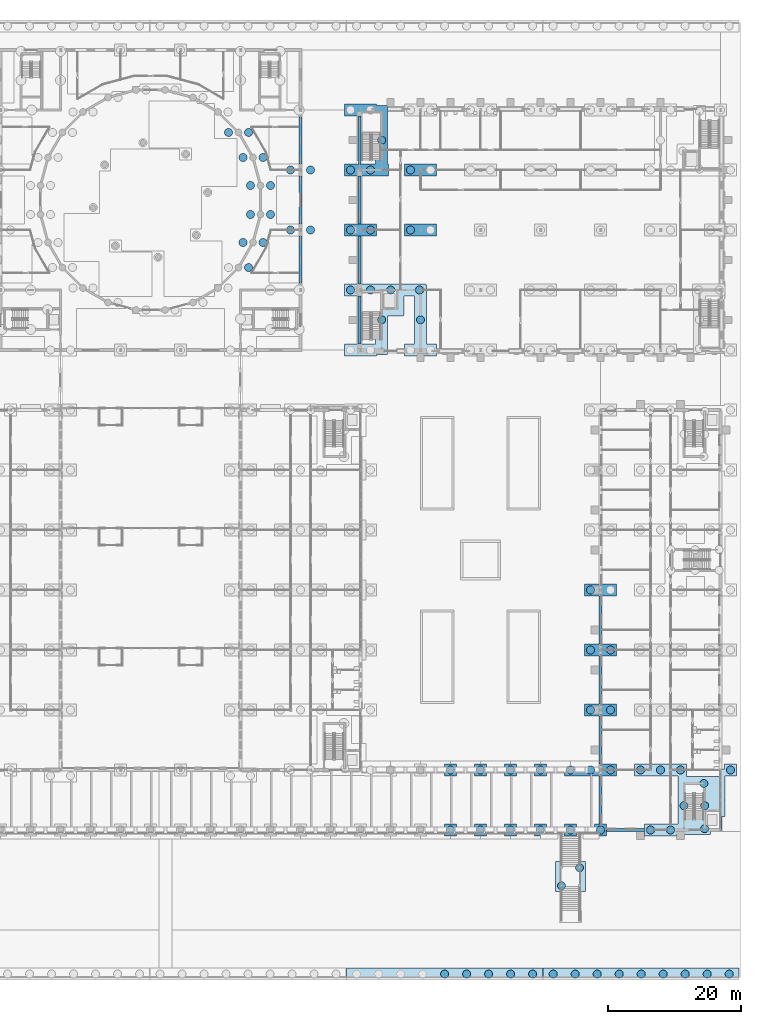
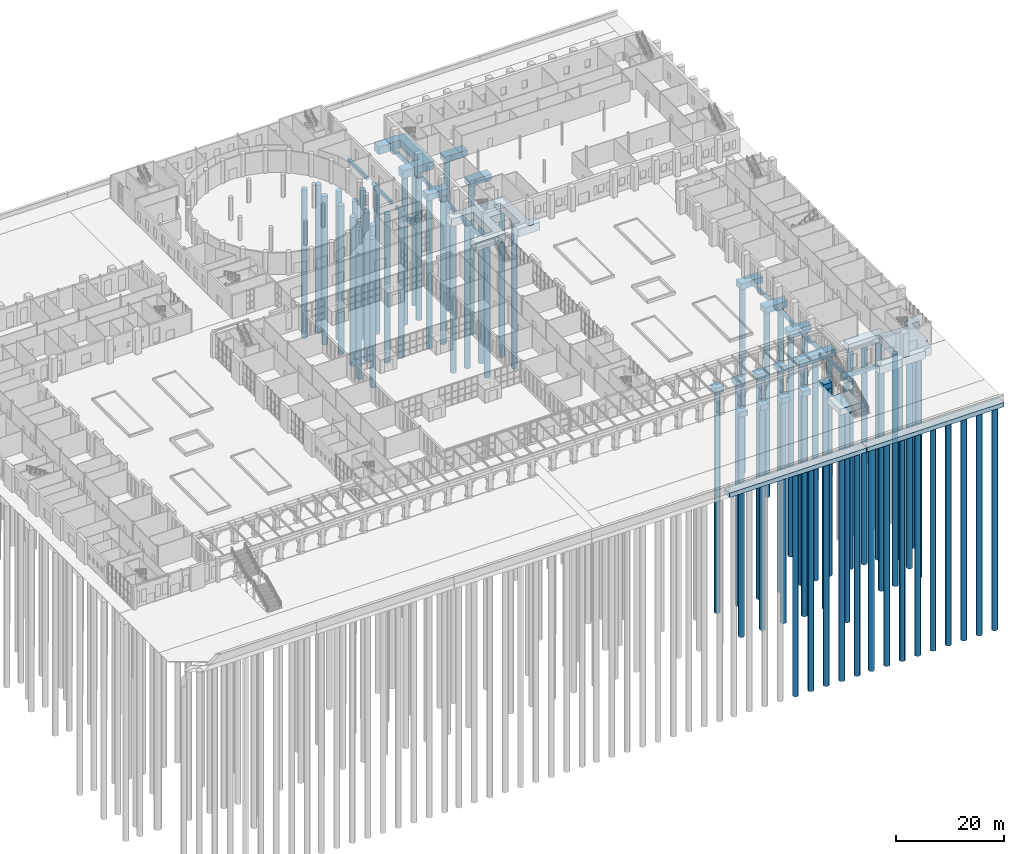
# One storey, part 6 of 168: 72 piles, 35 footings.
"""IFC4 building model written with IfcOpenShell, lengths in metres."""

from ifc_helpers import new_model, si_unit, direction, frame, origin, origin_2d, place, context, subcontext, project, spatial, polyline, circle, outline, extrude, material, material_profile, profile_set, type_object, element, save


model = new_model("IFC4")

# Units and contexts
model_context = context("Model", 3, precision=1e-05, world=origin(), true_north=direction((0.0, 1.0)))
body_context = subcontext(model_context, "Body", "Model", "MODEL_VIEW")
ifc_project = project(units=[si_unit("LENGTHUNIT", "METRE"), si_unit("AREAUNIT", "SQUARE_METRE"), si_unit("VOLUMEUNIT", "CUBIC_METRE"), si_unit("PLANEANGLEUNIT", "RADIAN"), si_unit("MASSUNIT", "GRAM", prefix="KILO")], contexts=[model_context])

# Site, building, storey
site_placement = place(None, origin())
site = spatial("IfcSite", under=ifc_project, at=site_placement, CompositionType="ELEMENT")
building_placement = place(site_placement, origin())
building = spatial("IfcBuilding", under=site, at=building_placement, Name="Golden Quay Civic Hall", CompositionType="ELEMENT")
storey_placement = place(building_placement, origin())
storey = spatial("IfcBuildingStorey", under=building, at=storey_placement, Name="L00", CompositionType="ELEMENT", Elevation=0.0)

# Piles
ifc_material_1 = material(Name="Concrete C40/50", Category="concrete")
ifc_material_profile = material_profile(ifc_material_1, circle(Radius=0.60009765625, at=origin_2d()), Name="RC D1200")
ifc_profile_set = profile_set([ifc_material_profile], Name="Concrete C40/50")
pile_type = type_object("IfcPileType", Name="Bored pile 1200", PredefinedType="BORED", material=ifc_profile_set)
for number, where, z_axis, x_axis, name in (
    (1, (97.202880859375, 95.631103515625, -2.300048828125), (0.0, 0.0, -1.0), (1.0, 0.0, 0.0), "PL1 bored pile"),
    (2, (99.3759765625, 79.131103515625, -2.300048828125), (0.0, 0.0, -1.0), (1.0, 0.0, 0.0), "PL1 bored pile"),
    (3, (99.3759765625, 91.868896484375, -2.300048828125), (0.0, 0.0, -1.0), (1.0, 0.0, 0.0), "PL1 bored pile"),
    (4, (100.202880859375, 75.368896484375, -2.300048828125), (0.0, 0.0, -1.0), (1.0, 0.0, 0.0), "PL1 bored pile"),
    (5, (100.202880859375, 95.631103515625, -2.300048828125), (0.0, 0.0, -1.0), (1.0, 0.0, 0.0), "PL1 bored pile"),
    (6, (100.5, 83.327880859375, -2.300048828125), (0.0, 0.0, -1.0), (1.0, 0.0, 0.0), "PL1 bored pile"),
    (7, (100.5, 87.672119140625, -2.300048828125), (0.0, 0.0, -1.0), (1.0, 0.0, 0.0), "PL1 bored pile"),
    (8, (102.3759765625, 79.131103515625, -2.300048828125), (0.0, 0.0, -1.0), (1.0, 0.0, 0.0), "PL1 bored pile"),
    (9, (102.3759765625, 91.868896484375, -2.300048828125), (0.0, 0.0, -1.0), (1.0, 0.0, 0.0), "PL1 bored pile"),
    (10, (103.5, 83.327880859375, -2.300048828125), (0.0, 0.0, -1.0), (1.0, 0.0, 0.0), "PL1 bored pile"),
    (11, (103.5, 87.672119140625, -2.300048828125), (0.0, 0.0, -1.0), (1.0, 0.0, 0.0), "PL1 bored pile"),
    (12, (106.5, 81.0, -2.300048828125), (0.0, 0.0, -1.0), (1.0, 0.0, 0.0), "PL1 bored pile"),
    (13, (106.5, 90.0, -2.300048828125), (0.0, 0.0, -1.0), (1.0, 0.0, 0.0), "PL1 bored pile"),
    (14, (109.5, 81.0, -2.300048828125), (0.0, 0.0, -1.0), (1.0, 0.0, 0.0), "PL1 bored pile"),
    (15, (109.5, 90.0, -2.300048828125), (0.0, 0.0, -1.0), (1.0, 0.0, 0.0), "PL1 bored pile"),
    (16, (115.5, 72.0, -2.300048828125), (0.0, 0.0, -1.0), (1.0, 0.0, 0.0), "PL1 bored pile"),
    (17, (118.5, 72.0, -2.300048828125), (0.0, 0.0, -1.0), (1.0, 0.0, 0.0), "PL1 bored pile"),
    (18, (120.175048828125, 67.537109375, -2.300048828125), (0.0, 0.0, -1.0), (1.0, 0.0, 0.0), "PL1 bored pile"),
    (19, (121.52490234375, 72.0, -2.300048828125), (0.0, 0.0, -1.0), (1.0, 0.0, 0.0), "PL1 bored pile"),
    (20, (125.85009765625, 72.0, -2.300048828125), (0.0, 0.0, -1.0), (1.0, 0.0, 0.0), "PL1 bored pile"),
    (21, (126.0, 67.52490234375, -2.300048828125), (0.0, 0.0, -1.0), (1.0, 0.0, 0.0), "PL1 bored pile"),
):
    element("IfcPile", number, at=place(storey_placement, frame(where, z_axis=z_axis, x_axis=x_axis)), inside=storey, type_object=pile_type, Name=name, PredefinedType="BORED", context=body_context, shape_type="SweptSolid", body=[
        extrude(circle(Radius=0.60009765625, at=origin_2d()), origin(), (0.0, 0.0, 1.0), 33.699951171875),
    ])
for number, where, z_axis, x_axis, name in (
    (22, (115.5, 81.0, -1.89990234375), (0.0, 0.0, -1.0), (1.0, 0.0, 0.0), "PL1 bored pile"),
    (23, (118.5, 81.0, -1.89990234375), (0.0, 0.0, -1.0), (1.0, 0.0, 0.0), "PL1 bored pile"),
):
    element("IfcPile", number, at=place(storey_placement, frame(where, z_axis=z_axis, x_axis=x_axis)), inside=storey, type_object=pile_type, Name=name, PredefinedType="BORED", context=body_context, shape_type="SweptSolid", body=[
        extrude(circle(Radius=0.60009765625, at=origin_2d()), origin(), (0.0, 0.0, 1.0), 34.10009765625),
    ])
for number, where, z_axis, x_axis, name in (
    (24, (115.5, 90.0, -2.300048828125), (0.0, 0.0, -1.0), (1.0, 0.0, 0.0), "PL1 bored pile"),
    (25, (118.5, 90.0, -2.300048828125), (0.0, 0.0, -1.0), (1.0, 0.0, 0.0), "PL1 bored pile"),
    (26, (120.175048828125, 94.462890625, -2.300048828125), (0.0, 0.0, -1.0), (1.0, 0.0, 0.0), "PL1 bored pile"),
):
    element("IfcPile", number, at=place(storey_placement, frame(where, z_axis=z_axis, x_axis=x_axis)), inside=storey, type_object=pile_type, Name=name, PredefinedType="BORED", context=body_context, shape_type="SweptSolid", body=[
        extrude(circle(Radius=0.60009765625, at=origin_2d()), origin(), (0.0, 0.0, 1.0), 33.699951171875),
    ])
for number, where, z_axis, x_axis, name in (
    (27, (124.5, 81.0, -1.89990234375), (0.0, 0.0, -1.0), (1.0, 0.0, 0.0), "PL1 bored pile"),
    (28, (124.5, 90.0, -1.89990234375), (0.0, 0.0, -1.0), (1.0, 0.0, 0.0), "PL1 bored pile"),
):
    element("IfcPile", number, at=place(storey_placement, frame(where, z_axis=z_axis, x_axis=x_axis)), inside=storey, type_object=pile_type, Name=name, PredefinedType="BORED", context=body_context, shape_type="SweptSolid", body=[
        extrude(circle(Radius=0.60009765625, at=origin_2d()), origin(), (0.0, 0.0, 1.0), 34.10009765625),
    ])
for number, where, z_axis, x_axis, name in (
    (29, (130.5, -9.0, -1.699951171875), (0.0, 0.0, -1.0), (1.0, 0.0, 0.0), "PL1 bored pile"),
    (30, (130.5, 0.0, -1.699951171875), (0.0, 0.0, -1.0), (1.0, 0.0, 0.0), "PL1 bored pile"),
    (31, (135.0, -9.0, -1.699951171875), (0.0, 0.0, -1.0), (1.0, 0.0, 0.0), "PL1 bored pile"),
    (32, (135.0, 0.0, -1.699951171875), (0.0, 0.0, -1.0), (1.0, 0.0, 0.0), "PL1 bored pile"),
    (33, (139.5, -9.0, -1.699951171875), (0.0, 0.0, -1.0), (1.0, 0.0, 0.0), "PL1 bored pile"),
    (34, (139.5, 0.0, -1.699951171875), (0.0, 0.0, -1.0), (1.0, 0.0, 0.0), "PL1 bored pile"),
    (35, (144.0, -9.0, -1.699951171875), (0.0, 0.0, -1.0), (1.0, 0.0, 0.0), "PL1 bored pile"),
    (36, (144.0, 0.0, -1.699951171875), (0.0, 0.0, -1.0), (1.0, 0.0, 0.0), "PL1 bored pile"),
    (37, (148.5, -9.0, -1.699951171875), (0.0, 0.0, -1.0), (1.0, 0.0, 0.0), "PL1 bored pile"),
):
    element("IfcPile", number, at=place(storey_placement, frame(where, z_axis=z_axis, x_axis=x_axis)), inside=storey, type_object=pile_type, Name=name, PredefinedType="BORED", context=body_context, shape_type="SweptSolid", body=[
        extrude(circle(Radius=0.60009765625, at=origin_2d()), origin(), (0.0, 0.0, 1.0), 50.300048828125),
    ])
for number, where, z_axis, x_axis, name in (
    (38, (148.5, 0.0, -2.0), (0.0, 0.0, -1.0), (1.0, 0.0, 0.0), "PL1 bored pile"),
    (39, (151.5, 0.0, -2.0), (0.0, 0.0, -1.0), (1.0, 0.0, 0.0), "PL1 bored pile"),
    (40, (154.5, 0.0, -2.0), (0.0, 0.0, -1.0), (1.0, 0.0, 0.0), "PL1 bored pile"),
):
    element("IfcPile", number, at=place(storey_placement, frame(where, z_axis=z_axis, x_axis=x_axis)), inside=storey, type_object=pile_type, Name=name, PredefinedType="BORED", context=body_context, shape_type="SweptSolid", body=[
        extrude(circle(Radius=0.60009765625, at=origin_2d()), origin(), (0.0, 0.0, 1.0), 50.0),
    ])
for number, where, z_axis, x_axis, name in (
    (41, (151.5, 9.0, -1.89990234375), (0.0, 0.0, -1.0), (1.0, 0.0, 0.0), "PL1 bored pile"),
    (42, (154.5, 9.0, -1.89990234375), (0.0, 0.0, -1.0), (1.0, 0.0, 0.0), "PL1 bored pile"),
):
    element("IfcPile", number, at=place(storey_placement, frame(where, z_axis=z_axis, x_axis=x_axis)), inside=storey, type_object=pile_type, Name=name, PredefinedType="BORED", context=body_context, shape_type="SweptSolid", body=[
        extrude(circle(Radius=0.60009765625, at=origin_2d()), origin(), (0.0, 0.0, 1.0), 50.10009765625),
    ])
for number, where, z_axis, x_axis, name in (
    (43, (151.5, 18.0, -1.89990234375), (0.0, 0.0, -1.0), (1.0, 0.0, 0.0), "PL1 bored pile"),
    (44, (154.5, 18.0, -1.89990234375), (0.0, 0.0, -1.0), (1.0, 0.0, 0.0), "PL1 bored pile"),
    (45, (151.5, 27.0, -1.89990234375), (0.0, 0.0, -1.0), (1.0, 0.0, 0.0), "PL1 bored pile"),
):
    element("IfcPile", number, at=place(storey_placement, frame(where, z_axis=z_axis, x_axis=x_axis)), inside=storey, type_object=pile_type, Name=name, PredefinedType="BORED", context=body_context, shape_type="SweptSolid", body=[
        extrude(circle(Radius=0.60009765625, at=origin_2d()), origin(), (0.0, 0.0, 1.0), 42.10009765625),
    ])
pile_placement = place(storey_placement, frame((153.0, -9.0, -1.699951171875), z_axis=(0.0, 0.0, -1.0), x_axis=(1.0, 0.0, 0.0)))
element("IfcPile", 46, at=pile_placement, inside=storey, type_object=pile_type, Name="PL1 bored pile", PredefinedType="BORED", context=body_context, shape_type="SweptSolid", body=[
    extrude(circle(Radius=0.60009765625, at=origin_2d()), origin(), (0.0, 0.0, 1.0), 50.300048828125),
])
for number, where, z_axis, x_axis, name in (
    (47, (159.0, 0.0, -2.300048828125), (0.0, 0.0, -1.0), (1.0, 0.0, 0.0), "PL1 bored pile"),
    (48, (160.5, -9.0, -2.300048828125), (0.0, 0.0, -1.0), (1.0, 0.0, 0.0), "PL1 bored pile"),
    (49, (162.0, 0.0, -2.300048828125), (0.0, 0.0, -1.0), (1.0, 0.0, 0.0), "PL1 bored pile"),
    (50, (163.5, -9.0, -2.300048828125), (0.0, 0.0, -1.0), (1.0, 0.0, 0.0), "PL1 bored pile"),
    (51, (165.0, 0.0, -2.300048828125), (0.0, 0.0, -1.0), (1.0, 0.0, 0.0), "PL1 bored pile"),
    (52, (165.52490234375, -5.35009765625, -2.300048828125), (0.0, 0.0, -1.0), (1.0, 0.0, 0.0), "PL1 bored pile"),
    (53, (168.5, -2.02490234375, -2.300048828125), (0.0, 0.0, -1.0), (1.0, 0.0, 0.0), "PL1 bored pile"),
    (54, (168.625, -8.800048828125, -2.300048828125), (0.0, 0.0, -1.0), (1.0, 0.0, 0.0), "PL1 bored pile"),
    (55, (168.625, -5.35009765625, -2.300048828125), (0.0, 0.0, -1.0), (1.0, 0.0, 0.0), "PL1 bored pile"),
    (56, (172.5, 0.0, -2.300048828125), (0.0, 0.0, -1.0), (1.0, 0.0, 0.0), "PL1 bored pile"),
):
    element("IfcPile", number, at=place(storey_placement, frame(where, z_axis=z_axis, x_axis=x_axis)), inside=storey, type_object=pile_type, Name=name, PredefinedType="BORED", context=body_context, shape_type="SweptSolid", body=[
        extrude(circle(Radius=0.60009765625, at=origin_2d()), origin(), (0.0, 0.0, 1.0), 49.699951171875),
    ])
for number, where, z_axis, x_axis, name in (
    (57, (129.6201171875, -30.60009765625, -1.60009765625), (0.0, 0.0, -1.0), (1.0, 0.0, 0.0), "PL1 bored pile"),
    (58, (132.919921875, -30.60009765625, -1.60009765625), (0.0, 0.0, -1.0), (1.0, 0.0, 0.0), "PL1 bored pile"),
    (59, (136.219970703125, -30.60009765625, -1.60009765625), (0.0, 0.0, -1.0), (1.0, 0.0, 0.0), "PL1 bored pile"),
    (60, (139.52001953125, -30.60009765625, -1.60009765625), (0.0, 0.0, -1.0), (1.0, 0.0, 0.0), "PL1 bored pile"),
    (61, (142.820068359375, -30.60009765625, -1.60009765625), (0.0, 0.0, -1.0), (1.0, 0.0, 0.0), "PL1 bored pile"),
    (62, (145.89990234375, -30.60009765625, -1.60009765625), (0.0, 0.0, -1.0), (1.0, 0.0, 0.0), "PL1 bored pile"),
    (63, (149.199951171875, -30.60009765625, -1.60009765625), (0.0, 0.0, -1.0), (1.0, 0.0, 0.0), "PL1 bored pile"),
    (64, (152.5, -30.60009765625, -1.60009765625), (0.0, 0.0, -1.0), (1.0, 0.0, 0.0), "PL1 bored pile"),
    (65, (155.800048828125, -30.60009765625, -1.60009765625), (0.0, 0.0, -1.0), (1.0, 0.0, 0.0), "PL1 bored pile"),
    (66, (159.10009765625, -30.60009765625, -1.60009765625), (0.0, 0.0, -1.0), (1.0, 0.0, 0.0), "PL1 bored pile"),
    (67, (162.39990234375, -30.60009765625, -1.60009765625), (0.0, 0.0, -1.0), (1.0, 0.0, 0.0), "PL1 bored pile"),
    (68, (165.699951171875, -30.60009765625, -1.60009765625), (0.0, 0.0, -1.0), (1.0, 0.0, 0.0), "PL1 bored pile"),
    (69, (169.0, -30.60009765625, -1.60009765625), (0.0, 0.0, -1.0), (1.0, 0.0, 0.0), "PL1 bored pile"),
    (70, (172.300048828125, -30.60009765625, -1.60009765625), (0.0, 0.0, -1.0), (1.0, 0.0, 0.0), "PL1 bored pile"),
):
    element("IfcPile", number, at=place(storey_placement, frame(where, z_axis=z_axis, x_axis=x_axis)), inside=storey, type_object=pile_type, Name=name, PredefinedType="BORED", context=body_context, shape_type="SweptSolid", body=[
        extrude(circle(Radius=0.60009765625, at=origin_2d()), origin(), (0.0, 0.0, 1.0), 50.39990234375),
    ])
for number, where, z_axis, x_axis, name in (
    (71, (147.14990234375, -17.35009765625, -1.89990234375), (0.0, 0.0, -1.0), (1.0, 0.0, 0.0), "PL1 bored pile"),
    (72, (149.85009765625, -14.64990234375, -1.89990234375), (0.0, 0.0, -1.0), (1.0, 0.0, 0.0), "PL1 bored pile"),
):
    element("IfcPile", number, at=place(storey_placement, frame(where, z_axis=z_axis, x_axis=x_axis)), inside=storey, type_object=pile_type, Name=name, PredefinedType="BORED", context=body_context, shape_type="SweptSolid", body=[
        extrude(circle(Radius=0.60009765625, at=origin_2d()), origin(), (0.0, 0.0, 1.0), 50.10009765625),
    ])

# Footings
ifc_material_2 = material(Name="Concrete C40/50", Category="concrete")
footing_type_1 = type_object("IfcFootingType", Name="Ground beam 450 x 800", PredefinedType="FOOTING_BEAM", material=ifc_material_2)
footing_1_placement = place(storey_placement, frame((0.0, 0.0, -1.39990234375)))
element("IfcFooting", 73, at=footing_1_placement, inside=storey, type_object=footing_type_1, Name="F15 ground beam", PredefinedType="FOOTING_BEAM", context=body_context, shape_type="SweptSolid", body=[
    extrude(outline(polyline([(107.77490234375, 80.10009765625), (108.22509765625, 80.10009765625), (108.22509765625, 73.050048828125), (107.77490234375, 73.050048828125), (107.77490234375, 80.10009765625)])), origin(), (0.0, 0.0, 1.0), 0.7998046875),
])
footing_2_placement = place(storey_placement, frame((0.0, 0.0, -1.39990234375)))
element("IfcFooting", 74, at=footing_2_placement, inside=storey, type_object=footing_type_1, Name="F15 ground beam", PredefinedType="FOOTING_BEAM", context=body_context, shape_type="SweptSolid", body=[
    extrude(outline(polyline([(107.77490234375, 89.10009765625), (108.22509765625, 89.10009765625), (108.22509765625, 81.89990234375), (107.77490234375, 81.89990234375), (107.77490234375, 89.10009765625)])), origin(), (0.0, 0.0, 1.0), 0.7998046875),
])
footing_3_placement = place(storey_placement, frame((0.0, 0.0, -1.39990234375)))
element("IfcFooting", 75, at=footing_3_placement, inside=storey, type_object=footing_type_1, Name="F15 ground beam", PredefinedType="FOOTING_BEAM", context=body_context, shape_type="SweptSolid", body=[
    extrude(outline(polyline([(107.77490234375, 97.949951171875), (108.22509765625, 97.949951171875), (108.22509765625, 90.89990234375), (107.77490234375, 90.89990234375), (107.77490234375, 97.949951171875)])), origin(), (0.0, 0.0, 1.0), 0.7998046875),
])
footing_4_placement = place(storey_placement, frame((0.0, 0.0, -1.39990234375)))
element("IfcFooting", 76, at=footing_4_placement, inside=storey, type_object=footing_type_1, Name="F15 ground beam", PredefinedType="FOOTING_BEAM", context=body_context, shape_type="SweptSolid", body=[
    extrude(outline(polyline([(153.89990234375, -9.22509765625), (153.89990234375, -8.77490234375), (159.60009765625, -8.77490234375), (159.60009765625, -9.22509765625), (153.89990234375, -9.22509765625)])), origin(), (0.0, 0.0, 1.0), 0.7998046875),
])
footing_5_placement = place(storey_placement, frame((0.0, 0.0, -1.39990234375)))
element("IfcFooting", 77, at=footing_5_placement, inside=storey, type_object=footing_type_1, Name="F15 ground beam", PredefinedType="FOOTING_BEAM", context=body_context, shape_type="SweptSolid", body=[
    extrude(outline(polyline([(152.77490234375, -0.89990234375), (153.22509765625, -0.89990234375), (153.22509765625, -8.10009765625), (152.77490234375, -8.10009765625), (152.77490234375, -0.89990234375)])), origin(), (0.0, 0.0, 1.0), 0.7998046875),
])
footing_6_placement = place(storey_placement, frame((0.0, 0.0, -1.39990234375)))
element("IfcFooting", 78, at=footing_6_placement, inside=storey, type_object=footing_type_1, Name="F15 ground beam", PredefinedType="FOOTING_BEAM", context=body_context, shape_type="SweptSolid", body=[
    extrude(outline(polyline([(152.77490234375, 8.10009765625), (153.22509765625, 8.10009765625), (153.22509765625, 0.89990234375), (152.77490234375, 0.89990234375), (152.77490234375, 8.10009765625)])), origin(), (0.0, 0.0, 1.0), 0.7998046875),
])
footing_7_placement = place(storey_placement, frame((0.0, 0.0, -1.39990234375)))
element("IfcFooting", 79, at=footing_7_placement, inside=storey, type_object=footing_type_1, Name="F15 ground beam", PredefinedType="FOOTING_BEAM", context=body_context, shape_type="SweptSolid", body=[
    extrude(outline(polyline([(152.77490234375, 17.10009765625), (153.22509765625, 17.10009765625), (153.22509765625, 9.89990234375), (152.77490234375, 9.89990234375), (152.77490234375, 17.10009765625)])), origin(), (0.0, 0.0, 1.0), 0.7998046875),
])
footing_8_placement = place(storey_placement, frame((0.0, 0.0, -1.39990234375)))
element("IfcFooting", 80, at=footing_8_placement, inside=storey, type_object=footing_type_1, Name="F15 ground beam", PredefinedType="FOOTING_BEAM", context=body_context, shape_type="SweptSolid", body=[
    extrude(outline(polyline([(152.77490234375, 26.10009765625), (153.22509765625, 26.10009765625), (153.22509765625, 18.89990234375), (152.77490234375, 18.89990234375), (152.77490234375, 26.10009765625)])), origin(), (0.0, 0.0, 1.0), 0.7998046875),
])
footing_9_placement = place(storey_placement, frame((0.0, 0.0, -1.39990234375)))
element("IfcFooting", 81, at=footing_9_placement, inside=storey, type_object=footing_type_1, Name="F15 ground beam", PredefinedType="FOOTING_BEAM", context=body_context, shape_type="SweptSolid", body=[
    extrude(outline(polyline([(116.625, 71.10009765625), (117.074951171875, 71.10009765625), (117.074951171875, 63.89990234375), (116.625, 63.89990234375), (116.625, 71.10009765625)])), origin(), (0.0, 0.0, 1.0), 0.7998046875),
])
footing_10_placement = place(storey_placement, frame((0.0, 0.0, -1.39990234375)))
element("IfcFooting", 82, at=footing_10_placement, inside=storey, type_object=footing_type_1, Name="F15 ground beam", PredefinedType="FOOTING_BEAM", context=body_context, shape_type="SweptSolid", body=[
    extrude(outline(polyline([(116.625, 80.10009765625), (117.074951171875, 80.10009765625), (117.074951171875, 72.89990234375), (116.625, 72.89990234375), (116.625, 80.10009765625)])), origin(), (0.0, 0.0, 1.0), 0.7998046875),
])
footing_11_placement = place(storey_placement, frame((0.0, 0.0, -1.39990234375)))
element("IfcFooting", 83, at=footing_11_placement, inside=storey, type_object=footing_type_1, Name="F15 ground beam", PredefinedType="FOOTING_BEAM", context=body_context, shape_type="SweptSolid", body=[
    extrude(outline(polyline([(116.625, 89.10009765625), (117.074951171875, 89.10009765625), (117.074951171875, 81.89990234375), (116.625, 81.89990234375), (116.625, 89.10009765625)])), origin(), (0.0, 0.0, 1.0), 0.7998046875),
])
footing_12_placement = place(storey_placement, frame((0.0, 0.0, -1.39990234375)))
element("IfcFooting", 84, at=footing_12_placement, inside=storey, type_object=footing_type_1, Name="F15 ground beam", PredefinedType="FOOTING_BEAM", context=body_context, shape_type="SweptSolid", body=[
    extrude(outline(polyline([(116.625, 98.10009765625), (117.074951171875, 98.10009765625), (117.074951171875, 90.89990234375), (116.625, 90.89990234375), (116.625, 98.10009765625)])), origin(), (0.0, 0.0, 1.0), 0.7998046875),
])
ifc_material_3 = material(Name="Concrete C40/50", Category="concrete")
footing_type_2 = type_object("IfcFootingType", Name="Pile cap 1 pile 1800 x 1800 x 1200", PredefinedType="PILE_CAP", material=ifc_material_3)
footing_13_placement = place(storey_placement, frame((0.0, 0.0, -1.800048828125)))
element("IfcFooting", 85, at=footing_13_placement, inside=storey, type_object=footing_type_2, Name="F10 pile cap", PredefinedType="PILE_CAP", context=body_context, shape_type="SweptSolid", body=[
    extrude(outline(polyline([(131.39990234375, -9.89990234375), (131.39990234375, -8.10009765625), (129.60009765625, -8.10009765625), (129.60009765625, -9.89990234375), (131.39990234375, -9.89990234375)])), origin(), (0.0, 0.0, 1.0), 1.199951171875),
])
footing_14_placement = place(storey_placement, frame((0.0, 0.0, -1.800048828125)))
element("IfcFooting", 86, at=footing_14_placement, inside=storey, type_object=footing_type_2, Name="F10 pile cap", PredefinedType="PILE_CAP", context=body_context, shape_type="SweptSolid", body=[
    extrude(outline(polyline([(131.39990234375, -0.89990234375), (131.39990234375, 0.89990234375), (129.60009765625, 0.89990234375), (129.60009765625, -0.89990234375), (131.39990234375, -0.89990234375)])), origin(), (0.0, 0.0, 1.0), 1.199951171875),
])
footing_15_placement = place(storey_placement, frame((0.0, 0.0, -1.800048828125)))
element("IfcFooting", 87, at=footing_15_placement, inside=storey, type_object=footing_type_2, Name="F10 pile cap", PredefinedType="PILE_CAP", context=body_context, shape_type="SweptSolid", body=[
    extrude(outline(polyline([(135.89990234375, -9.89990234375), (135.89990234375, -8.10009765625), (134.10009765625, -8.10009765625), (134.10009765625, -9.89990234375), (135.89990234375, -9.89990234375)])), origin(), (0.0, 0.0, 1.0), 1.199951171875),
])
footing_16_placement = place(storey_placement, frame((0.0, 0.0, -1.800048828125)))
element("IfcFooting", 88, at=footing_16_placement, inside=storey, type_object=footing_type_2, Name="F10 pile cap", PredefinedType="PILE_CAP", context=body_context, shape_type="SweptSolid", body=[
    extrude(outline(polyline([(135.89990234375, -0.89990234375), (135.89990234375, 0.89990234375), (134.10009765625, 0.89990234375), (134.10009765625, -0.89990234375), (135.89990234375, -0.89990234375)])), origin(), (0.0, 0.0, 1.0), 1.199951171875),
])
footing_17_placement = place(storey_placement, frame((0.0, 0.0, -1.800048828125)))
element("IfcFooting", 89, at=footing_17_placement, inside=storey, type_object=footing_type_2, Name="F10 pile cap", PredefinedType="PILE_CAP", context=body_context, shape_type="SweptSolid", body=[
    extrude(outline(polyline([(140.39990234375, -9.89990234375), (140.39990234375, -8.10009765625), (138.60009765625, -8.10009765625), (138.60009765625, -9.89990234375), (140.39990234375, -9.89990234375)])), origin(), (0.0, 0.0, 1.0), 1.199951171875),
])
footing_18_placement = place(storey_placement, frame((0.0, 0.0, -1.800048828125)))
element("IfcFooting", 90, at=footing_18_placement, inside=storey, type_object=footing_type_2, Name="F10 pile cap", PredefinedType="PILE_CAP", context=body_context, shape_type="SweptSolid", body=[
    extrude(outline(polyline([(140.39990234375, -0.89990234375), (140.39990234375, 0.89990234375), (138.60009765625, 0.89990234375), (138.60009765625, -0.89990234375), (140.39990234375, -0.89990234375)])), origin(), (0.0, 0.0, 1.0), 1.199951171875),
])
footing_19_placement = place(storey_placement, frame((0.0, 0.0, -1.800048828125)))
element("IfcFooting", 91, at=footing_19_placement, inside=storey, type_object=footing_type_2, Name="F10 pile cap", PredefinedType="PILE_CAP", context=body_context, shape_type="SweptSolid", body=[
    extrude(outline(polyline([(144.89990234375, -9.89990234375), (144.89990234375, -8.10009765625), (143.10009765625, -8.10009765625), (143.10009765625, -9.89990234375), (144.89990234375, -9.89990234375)])), origin(), (0.0, 0.0, 1.0), 1.199951171875),
])
footing_20_placement = place(storey_placement, frame((0.0, 0.0, -1.800048828125)))
element("IfcFooting", 92, at=footing_20_placement, inside=storey, type_object=footing_type_2, Name="F10 pile cap", PredefinedType="PILE_CAP", context=body_context, shape_type="SweptSolid", body=[
    extrude(outline(polyline([(144.89990234375, -0.89990234375), (144.89990234375, 0.89990234375), (143.10009765625, 0.89990234375), (143.10009765625, -0.89990234375), (144.89990234375, -0.89990234375)])), origin(), (0.0, 0.0, 1.0), 1.199951171875),
])
footing_21_placement = place(storey_placement, frame((0.0, 0.0, -1.800048828125)))
element("IfcFooting", 93, at=footing_21_placement, inside=storey, type_object=footing_type_2, Name="F10 pile cap", PredefinedType="PILE_CAP", context=body_context, shape_type="SweptSolid", body=[
    extrude(outline(polyline([(149.39990234375, -9.89990234375), (149.39990234375, -8.10009765625), (147.60009765625, -8.10009765625), (147.60009765625, -9.89990234375), (149.39990234375, -9.89990234375)])), origin(), (0.0, 0.0, 1.0), 1.199951171875),
])
footing_22_placement = place(storey_placement, frame((0.0, 0.0, -1.800048828125)))
element("IfcFooting", 94, at=footing_22_placement, inside=storey, type_object=footing_type_2, Name="F10 pile cap", PredefinedType="PILE_CAP", context=body_context, shape_type="SweptSolid", body=[
    extrude(outline(polyline([(153.89990234375, -9.89990234375), (153.89990234375, -8.10009765625), (152.10009765625, -8.10009765625), (152.10009765625, -9.89990234375), (153.89990234375, -9.89990234375)])), origin(), (0.0, 0.0, 1.0), 1.199951171875),
])
ifc_material_4 = material(Name="Concrete C40/50", Category="concrete")
footing_type_3 = type_object("IfcFootingType", Name="Pile cap 2 piles 4500 x 4500 x 1400", PredefinedType="PILE_CAP", material=ifc_material_4)
footing_23_placement = place(storey_placement, frame((0.0, 0.0, -2.0)))
element("IfcFooting", 95, at=footing_23_placement, inside=storey, type_object=footing_type_3, Name="F14 pile cap", PredefinedType="PILE_CAP", context=body_context, shape_type="SweptSolid", body=[
    extrude(outline(polyline([(150.75, -18.25), (150.75, -13.75), (146.25, -13.75), (146.25, -18.25), (150.75, -18.25)])), origin(), (0.0, 0.0, 1.0), 1.39990234375),
])
ifc_material_5 = material(Name="Concrete C40/50", Category="concrete")
footing_type_4 = type_object("IfcFootingType", Name="Pile cap 2 piles 4800 x 1800 x 1400", PredefinedType="PILE_CAP", material=ifc_material_5)
footing_24_placement = place(storey_placement, frame((0.0, 0.0, -2.0)))
element("IfcFooting", 96, at=footing_24_placement, inside=storey, type_object=footing_type_4, Name="F4 pile cap", PredefinedType="PILE_CAP", context=body_context, shape_type="SweptSolid", body=[
    extrude(outline(polyline([(119.39990234375, 80.10009765625), (119.39990234375, 81.89990234375), (114.60009765625, 81.89990234375), (114.60009765625, 80.10009765625), (119.39990234375, 80.10009765625)])), origin(), (0.0, 0.0, 1.0), 1.39990234375),
])
footing_25_placement = place(storey_placement, frame((0.0, 0.0, -2.0)))
element("IfcFooting", 97, at=footing_25_placement, inside=storey, type_object=footing_type_4, Name="F4 pile cap", PredefinedType="PILE_CAP", context=body_context, shape_type="SweptSolid", body=[
    extrude(outline(polyline([(128.39990234375, 80.10009765625), (128.39990234375, 81.89990234375), (123.60009765625, 81.89990234375), (123.60009765625, 80.10009765625), (128.39990234375, 80.10009765625)])), origin(), (0.0, 0.0, 1.0), 1.39990234375),
])
footing_26_placement = place(storey_placement, frame((0.0, 0.0, -2.0)))
element("IfcFooting", 98, at=footing_26_placement, inside=storey, type_object=footing_type_4, Name="F4 pile cap", PredefinedType="PILE_CAP", context=body_context, shape_type="SweptSolid", body=[
    extrude(outline(polyline([(128.39990234375, 89.10009765625), (128.39990234375, 90.89990234375), (123.60009765625, 90.89990234375), (123.60009765625, 89.10009765625), (128.39990234375, 89.10009765625)])), origin(), (0.0, 0.0, 1.0), 1.39990234375),
])
footing_27_placement = place(storey_placement, frame((0.0, 0.0, -2.0)))
element("IfcFooting", 99, at=footing_27_placement, inside=storey, type_object=footing_type_4, Name="F4 pile cap", PredefinedType="PILE_CAP", context=body_context, shape_type="SweptSolid", body=[
    extrude(outline(polyline([(155.39990234375, 8.10009765625), (155.39990234375, 9.89990234375), (150.60009765625, 9.89990234375), (150.60009765625, 8.10009765625), (155.39990234375, 8.10009765625)])), origin(), (0.0, 0.0, 1.0), 1.39990234375),
])
footing_28_placement = place(storey_placement, frame((0.0, 0.0, -2.0)))
element("IfcFooting", 100, at=footing_28_placement, inside=storey, type_object=footing_type_4, Name="F4 pile cap", PredefinedType="PILE_CAP", context=body_context, shape_type="SweptSolid", body=[
    extrude(outline(polyline([(155.39990234375, 17.10009765625), (155.39990234375, 18.89990234375), (150.60009765625, 18.89990234375), (150.60009765625, 17.10009765625), (155.39990234375, 17.10009765625)])), origin(), (0.0, 0.0, 1.0), 1.39990234375),
])
footing_29_placement = place(storey_placement, frame((0.0, 0.0, -2.0)))
element("IfcFooting", 101, at=footing_29_placement, inside=storey, type_object=footing_type_4, Name="F4 pile cap", PredefinedType="PILE_CAP", context=body_context, shape_type="SweptSolid", body=[
    extrude(outline(polyline([(155.39990234375, 26.10009765625), (155.39990234375, 27.89990234375), (150.60009765625, 27.89990234375), (150.60009765625, 26.10009765625), (155.39990234375, 26.10009765625)])), origin(), (0.0, 0.0, 1.0), 1.39990234375),
])
ifc_material_6 = material(Name="Concrete C40/50", Category="concrete")
footing_type_5 = type_object("IfcFootingType", Name="Pile cap 3 piles 7800 x 1800 x 1500", PredefinedType="PILE_CAP", material=ifc_material_6)
footing_30_placement = place(storey_placement, frame((0.0, 0.0, -2.10009765625)))
element("IfcFooting", 102, at=footing_30_placement, inside=storey, type_object=footing_type_5, Name="F7 pile cap", PredefinedType="PILE_CAP", context=body_context, shape_type="SweptSolid", body=[
    extrude(outline(polyline([(155.39990234375, -0.89990234375), (155.39990234375, 0.89990234375), (147.60009765625, 0.89990234375), (147.60009765625, -0.89990234375), (155.39990234375, -0.89990234375)])), origin(), (0.0, 0.0, 1.0), 1.5),
])
ifc_material_7 = material(Name="Concrete C40/50", Category="concrete")
footing_type_6 = type_object("IfcFootingType", Name="Pile raft 1800 deep on 1200 mm piles", PredefinedType="PILE_CAP", material=ifc_material_7)
footing_31_placement = place(storey_placement, frame((0.0, 0.0, -2.39990234375)))
element("IfcFooting", 103, at=footing_31_placement, inside=storey, type_object=footing_type_6, Name="F11 pile cap", PredefinedType="PILE_CAP", context=body_context, shape_type="SweptSolid", body=[
    extrude(outline(polyline([(114.60009765625, 62.10009765625), (114.60009765625, 63.89990234375), (119.27490234375, 63.89990234375), (119.27490234375, 71.10009765625), (114.60009765625, 71.10009765625), (114.60009765625, 72.89990234375), (126.75, 72.89990234375), (126.75, 72.75), (126.89990234375, 72.75), (126.89990234375, 63.89990234375), (128.39990234375, 63.89990234375), (128.39990234375, 62.10009765625), (123.60009765625, 62.10009765625), (123.60009765625, 63.89990234375), (125.10009765625, 63.89990234375), (125.10009765625, 71.10009765625), (123.550048828125, 71.10009765625), (123.550048828125, 68.25), (123.425048828125, 68.25), (123.425048828125, 68.125), (121.074951171875, 68.125), (121.074951171875, 62.300048828125), (119.39990234375, 62.300048828125), (119.39990234375, 62.10009765625), (114.60009765625, 62.10009765625)])), origin(), (0.0, 0.0, 1.0), 1.7998046875),
])
footing_32_placement = place(storey_placement, frame((0.0, 0.0, -2.39990234375)))
element("IfcFooting", 104, at=footing_32_placement, inside=storey, type_object=footing_type_6, Name="F11 pile cap", PredefinedType="PILE_CAP", context=body_context, shape_type="SweptSolid", body=[
    extrude(outline(polyline([(114.60009765625, 98.10009765625), (114.60009765625, 99.89990234375), (119.39990234375, 99.89990234375), (119.39990234375, 99.699951171875), (121.074951171875, 99.699951171875), (121.074951171875, 90.89990234375), (121.199951171875, 90.89990234375), (121.199951171875, 89.10009765625), (114.60009765625, 89.10009765625), (114.60009765625, 90.89990234375), (119.27490234375, 90.89990234375), (119.27490234375, 98.10009765625), (114.60009765625, 98.10009765625)])), origin(), (0.0, 0.0, 1.0), 1.7998046875),
])
footing_33_placement = place(storey_placement, frame((0.0, 0.0, -2.39990234375)))
element("IfcFooting", 105, at=footing_33_placement, inside=storey, type_object=footing_type_6, Name="F11 pile cap", PredefinedType="PILE_CAP", context=body_context, shape_type="SweptSolid", body=[
    extrude(outline(polyline([(158.10009765625, -0.89990234375), (158.10009765625, 0.89990234375), (165.89990234375, 0.89990234375), (165.89990234375, -1.0), (170.81005859375, -1.0), (170.81005859375, 0.18505859375), (171.60009765625, 0.18505859375), (171.60009765625, 0.89990234375), (173.39990234375, 0.89990234375), (173.39990234375, -0.89990234375), (171.699951171875, -0.89990234375), (171.699951171875, -6.97509765625), (171.18994140625, -6.97509765625), (171.18994140625, -9.18505859375), (169.52490234375, -9.18505859375), (169.52490234375, -9.699951171875), (164.39990234375, -9.699951171875), (164.39990234375, -9.89990234375), (159.60009765625, -9.89990234375), (159.60009765625, -8.10009765625), (164.625, -8.10009765625), (164.625, -0.89990234375), (158.10009765625, -0.89990234375)])), origin(), (0.0, 0.0, 1.0), 1.7998046875),
])
ifc_material_8 = material(Name="Concrete C40/50", Category="concrete")
footing_type_7 = type_object("IfcFootingType", Name="Quay strip footing 1000 deep on 1200 mm piles", PredefinedType="STRIP_FOOTING", material=ifc_material_8)
footing_34_placement = place(storey_placement, frame((0.0, 0.0, -1.60009765625)))
element("IfcFooting", 106, at=footing_34_placement, inside=storey, type_object=footing_type_7, Name="Quay strip footing run 5", PredefinedType="STRIP_FOOTING", context=body_context, shape_type="SweptSolid", body=[
    extrude(outline(polyline([(114.919921875, -31.5), (144.320068359375, -31.5), (144.320068359375, -29.699951171875), (114.919921875, -29.699951171875), (114.919921875, -31.5)])), origin(), (0.0, 0.0, 1.0), 1.0),
])
footing_35_placement = place(storey_placement, frame((0.0, 0.0, -1.60009765625)))
element("IfcFooting", 107, at=footing_35_placement, inside=storey, type_object=footing_type_7, Name="Quay strip footing run 6", PredefinedType="STRIP_FOOTING", context=body_context, shape_type="SweptSolid", body=[
    extrude(outline(polyline([(144.39990234375, -31.5), (173.800048828125, -31.5), (173.800048828125, -29.699951171875), (144.39990234375, -29.699951171875), (144.39990234375, -31.5)])), origin(), (0.0, 0.0, 1.0), 1.0),
])

save(model, "model.ifc")
